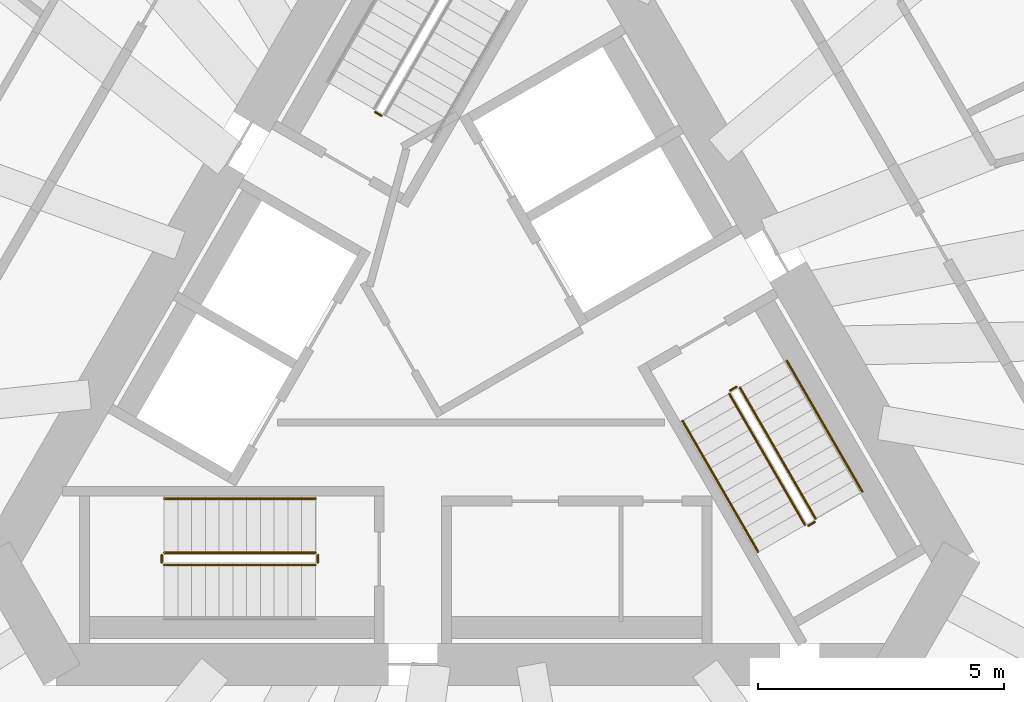
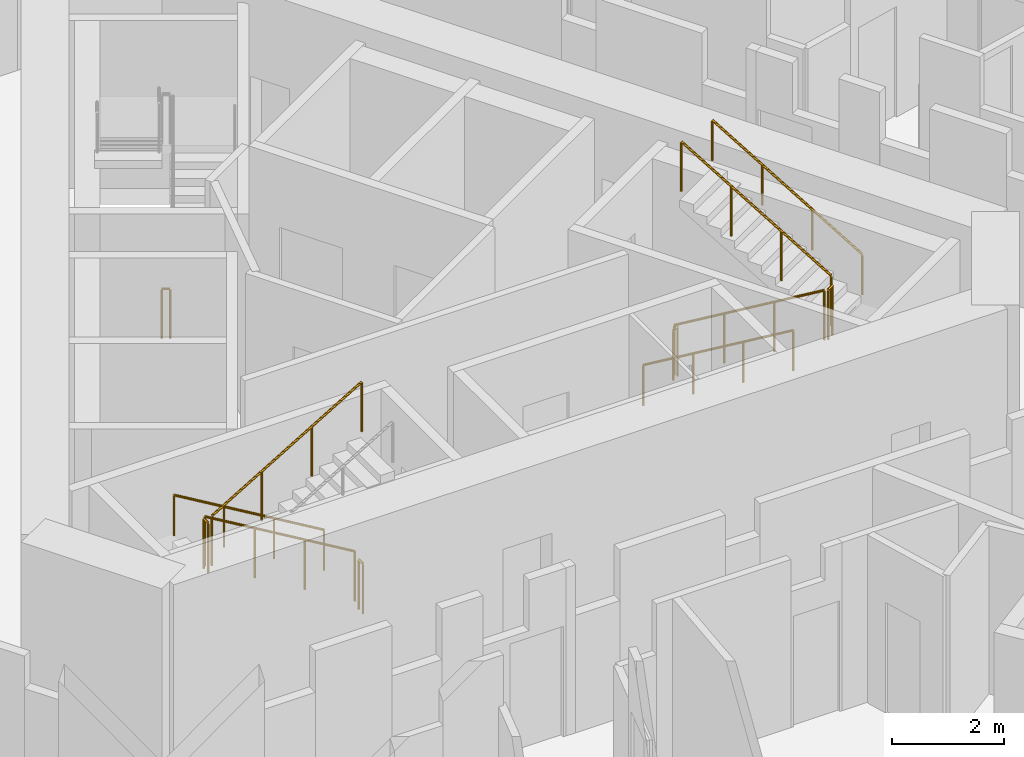
# One storey, part 11 of 14: 12 railings.
"""IFC4 building model written with IfcOpenShell, lengths in metres."""

from ifc_helpers import new_model, si_unit, direction, frame, origin, origin_2d, place, context, subcontext, project, spatial, circle, extrude, material, type_object, element, save


model = new_model("IFC4")

# Units and contexts
model_context = context("Model", 3, precision=1e-05, world=origin(), true_north=direction((0.0, 1.0)))
body_context = subcontext(model_context, "Body", "Model", "MODEL_VIEW")
ifc_project = project(units=[si_unit("LENGTHUNIT", "METRE"), si_unit("AREAUNIT", "SQUARE_METRE"), si_unit("VOLUMEUNIT", "CUBIC_METRE"), si_unit("PLANEANGLEUNIT", "RADIAN"), si_unit("MASSUNIT", "GRAM", prefix="KILO")], contexts=[model_context])

# Site, building, storey
site_placement = place(None, origin())
site = spatial("IfcSite", under=ifc_project, at=site_placement, CompositionType="ELEMENT")
building_placement = place(site_placement, origin())
building = spatial("IfcBuilding", under=site, at=building_placement, Name="Tramontana Tower", CompositionType="ELEMENT")
storey_placement = place(building_placement, frame((0.0, 0.0, 178.800048828125)))
storey = spatial("IfcBuildingStorey", under=building, at=storey_placement, Name="L41", CompositionType="ELEMENT", Elevation=178.800048828125)

# Railings
ifc_material_1 = material(Name="Painted steel", Category="steel")
railing_type_1 = type_object("IfcRailingType", Name="STAIR GUARD 1100", PredefinedType="GUARDRAIL", material=ifc_material_1)
railing_1_placement = place(storey_placement, frame((-1.935791015625, 4.84716796875, 0.0)))
element("IfcRailing", 1, at=railing_1_placement, inside=storey, type_object=railing_type_1, Name="L41 ST1 stair guard 4", PredefinedType="GUARDRAIL", context=body_context, shape_type="SweptSolid", body=[
    extrude(circle(Radius=0.02392578125, at=origin_2d()), frame((0.0, 0.0, 1.076171875), z_axis=(-0.865426285481, 0.501036270542, 0.0), x_axis=(-0.501036270542, -0.865426285481, 0.0)), (0.0, 0.0, 1.0), 0.150146484375),
    extrude(circle(Radius=0.02099609375, at=origin_2d()), origin(), (0.0, 0.0, 1.0), 1.052001953125),
    extrude(circle(Radius=0.02099609375, at=origin_2d()), frame((-0.1298828125, 0.0751953125, 0.0)), (0.0, 0.0, 1.0), 1.052001953125),
])
railing_2_placement = place(storey_placement, frame((-3.280029296875, -4.050048828125, 0.16650390625)))
element("IfcRailing", 2, at=railing_2_placement, inside=storey, type_object=railing_type_1, Name="L41 ST2 stair guard 1", PredefinedType="GUARDRAIL", context=body_context, shape_type="SweptSolid", body=[
    extrude(circle(Radius=0.02392578125, at=origin_2d()), frame((0.0, 0.0, 1.076171875), z_axis=(-0.85927862911, 0.0, 0.511507807912), x_axis=(0.0, -1.0, 0.0)), (0.0, 0.0, 1.0), 3.58447265625),
    extrude(circle(Radius=0.02099609375, at=origin_2d()), origin(), (0.0, 0.0, 1.0), 1.052001953125),
    extrude(circle(Radius=0.02099609375, at=origin_2d()), frame((-1.026611328125, 0.0, 0.611083984375)), (0.0, 0.0, 1.0), 1.052001953125),
    extrude(circle(Radius=0.02099609375, at=origin_2d()), frame((-2.053466796875, 0.0, 1.222412109375)), (0.0, 0.0, 1.0), 1.052001953125),
    extrude(circle(Radius=0.02099609375, at=origin_2d()), frame((-3.080078125, 0.0, 1.83349609375)), (0.0, 0.0, 1.0), 1.052001953125),
])
railing_3_placement = place(storey_placement, frame((-6.360107421875, -4.300048828125, 2.16650390625)))
element("IfcRailing", 3, at=railing_3_placement, inside=storey, type_object=railing_type_1, Name="L41 ST2 stair guard 2", PredefinedType="GUARDRAIL", context=body_context, shape_type="SweptSolid", body=[
    extrude(circle(Radius=0.02392578125, at=origin_2d()), frame((0.0, 0.0, 1.076171875), z_axis=(0.85927862911, 0.0, 0.511507807912), x_axis=(0.0, 1.0, 0.0)), (0.0, 0.0, 1.0), 3.58447265625),
    extrude(circle(Radius=0.02099609375, at=origin_2d()), origin(), (0.0, 0.0, 1.0), 1.052001953125),
    extrude(circle(Radius=0.02099609375, at=origin_2d()), frame((1.026611328125, 0.0, 0.611083984375)), (0.0, 0.0, 1.0), 1.052001953125),
    extrude(circle(Radius=0.02099609375, at=origin_2d()), frame((2.053466796875, 0.0, 1.222412109375)), (0.0, 0.0, 1.0), 1.052001953125),
    extrude(circle(Radius=0.02099609375, at=origin_2d()), frame((3.080078125, 0.0, 1.83349609375)), (0.0, 0.0, 1.0), 1.052001953125),
])
for number, where, name in (
    (4, (-6.409912109375, -4.10009765625, 2.0), "L41 ST2 stair guard 3"),
    (5, (-3.22998046875, -4.10009765625, 0.0), "L41 ST2 stair guard 4"),
):
    element("IfcRailing", number, at=place(storey_placement, frame(where)), inside=storey, type_object=railing_type_1, Name=name, PredefinedType="GUARDRAIL", context=body_context, shape_type="SweptSolid", body=[
        extrude(circle(Radius=0.02392578125, at=origin_2d()), frame((0.0, 0.0, 1.076171875), z_axis=(0.0, -1.0, 0.0), x_axis=(1.0, 0.0, 0.0)), (0.0, 0.0, 1.0), 0.14990234375),
        extrude(circle(Radius=0.02099609375, at=origin_2d()), origin(), (0.0, 0.0, 1.0), 1.052001953125),
        extrude(circle(Radius=0.02099609375, at=origin_2d()), frame((0.0, -0.14990234375, 0.0)), (0.0, 0.0, 1.0), 1.052001953125),
    ])
railing_4_placement = place(storey_placement, frame((5.1474609375, -0.815673828125, 0.16650390625)))
element("IfcRailing", 6, at=railing_4_placement, inside=storey, type_object=railing_type_1, Name="L41 ST3 stair guard 1", PredefinedType="GUARDRAIL", context=body_context, shape_type="SweptSolid", body=[
    extrude(circle(Radius=0.02392578125, at=origin_2d()), frame((0.0, 0.0, 1.076171875), z_axis=(0.429656224001, -0.744133520484, 0.511527939481), x_axis=(0.866010015463, 0.500026652407, 0.0)), (0.0, 0.0, 1.0), 3.58447265625),
    extrude(circle(Radius=0.02099609375, at=origin_2d()), origin(), (0.0, 0.0, 1.0), 1.052001953125),
    extrude(circle(Radius=0.02099609375, at=origin_2d()), frame((0.513427734375, -0.88916015625, 0.611083984375)), (0.0, 0.0, 1.0), 1.052001953125),
    extrude(circle(Radius=0.02099609375, at=origin_2d()), frame((1.026611328125, -1.778076171875, 1.222412109375)), (0.0, 0.0, 1.0), 1.052001953125),
    extrude(circle(Radius=0.02099609375, at=origin_2d()), frame((1.5400390625, -2.667236328125, 1.83349609375)), (0.0, 0.0, 1.0), 1.052001953125),
])
railing_5_placement = place(storey_placement, frame((6.90380859375, -3.35791015625, 2.16650390625)))
element("IfcRailing", 7, at=railing_5_placement, inside=storey, type_object=railing_type_1, Name="L41 ST3 stair guard 2", PredefinedType="GUARDRAIL", context=body_context, shape_type="SweptSolid", body=[
    extrude(circle(Radius=0.02392578125, at=origin_2d()), frame((0.0, 0.0, 1.076171875), z_axis=(-0.429600682602, 0.744155296881, 0.511542908886), x_axis=(-0.866044340336, -0.499967199496, 0.0)), (0.0, 0.0, 1.0), 3.584228515625),
    extrude(circle(Radius=0.02099609375, at=origin_2d()), origin(), (0.0, 0.0, 1.0), 1.052001953125),
    extrude(circle(Radius=0.02099609375, at=origin_2d()), frame((-0.51318359375, 0.88916015625, 0.611083984375)), (0.0, 0.0, 1.0), 1.052001953125),
    extrude(circle(Radius=0.02099609375, at=origin_2d()), frame((-1.026611328125, 1.778076171875, 1.222412109375)), (0.0, 0.0, 1.0), 1.052001953125),
    extrude(circle(Radius=0.02099609375, at=origin_2d()), frame((-1.539794921875, 2.667236328125, 1.83349609375)), (0.0, 0.0, 1.0), 1.052001953125),
])
for number, where, name in (
    (8, (6.755615234375, -3.501220703125, 2.0), "L41 ST3 stair guard 3"),
    (9, (5.165771484375, -0.747314453125, 0.0), "L41 ST3 stair guard 4"),
):
    element("IfcRailing", number, at=place(storey_placement, frame(where)), inside=storey, type_object=railing_type_1, Name=name, PredefinedType="GUARDRAIL", context=body_context, shape_type="SweptSolid", body=[
        extrude(circle(Radius=0.02392578125, at=origin_2d()), frame((0.0, 0.0, 1.076171875), z_axis=(0.866131372301, 0.499816412211, 0.0), x_axis=(-0.499816412211, 0.866131372301, 0.0)), (0.0, 0.0, 1.0), 0.14990234375),
        extrude(circle(Radius=0.02099609375, at=origin_2d()), origin(), (0.0, 0.0, 1.0), 1.052001953125),
        extrude(circle(Radius=0.02099609375, at=origin_2d()), frame((0.1298828125, 0.074951171875, 0.0)), (0.0, 0.0, 1.0), 1.052001953125),
    ])
ifc_material_2 = material(Name="Painted steel", Category="steel")
railing_type_2 = type_object("IfcRailingType", Name="STAIR HANDRAIL 900", PredefinedType="HANDRAIL", material=ifc_material_2)
railing_6_placement = place(storey_placement, frame((-3.280029296875, -2.949951171875, 0.16650390625)))
element("IfcRailing", 10, at=railing_6_placement, inside=storey, type_object=railing_type_2, Name="L41 ST2 stair handrail 1", PredefinedType="HANDRAIL", context=body_context, shape_type="SweptSolid", body=[
    extrude(circle(Radius=0.02392578125, at=origin_2d()), frame((0.0, 0.0, 0.8759765625), z_axis=(-0.85927862911, 0.0, 0.511507807912), x_axis=(0.0, -1.0, 0.0)), (0.0, 0.0, 1.0), 3.58447265625),
    extrude(circle(Radius=0.02099609375, at=origin_2d()), origin(), (0.0, 0.0, 1.0), 0.851806640625),
    extrude(circle(Radius=0.02099609375, at=origin_2d()), frame((-1.026611328125, 0.0, 0.611083984375)), (0.0, 0.0, 1.0), 0.851806640625),
    extrude(circle(Radius=0.02099609375, at=origin_2d()), frame((-2.053466796875, 0.0, 1.222412109375)), (0.0, 0.0, 1.0), 0.851806640625),
    extrude(circle(Radius=0.02099609375, at=origin_2d()), frame((-3.080078125, 0.0, 1.83349609375)), (0.0, 0.0, 1.0), 0.851806640625),
])
railing_7_placement = place(storey_placement, frame((4.19482421875, -1.365478515625, 0.16650390625)))
element("IfcRailing", 11, at=railing_7_placement, inside=storey, type_object=railing_type_2, Name="L41 ST3 stair handrail 1", PredefinedType="HANDRAIL", context=body_context, shape_type="SweptSolid", body=[
    extrude(circle(Radius=0.02392578125, at=origin_2d()), frame((0.0, 0.0, 0.8759765625), z_axis=(0.429634447492, -0.7441639146, 0.511502013422), x_axis=(0.866029832698, 0.499992328818, 0.0)), (0.0, 0.0, 1.0), 3.58447265625),
    extrude(circle(Radius=0.02099609375, at=origin_2d()), origin(), (0.0, 0.0, 1.0), 0.851806640625),
    extrude(circle(Radius=0.02099609375, at=origin_2d()), frame((0.513427734375, -0.88916015625, 0.611083984375)), (0.0, 0.0, 1.0), 0.851806640625),
    extrude(circle(Radius=0.02099609375, at=origin_2d()), frame((1.026611328125, -1.7783203125, 1.222412109375)), (0.0, 0.0, 1.0), 0.851806640625),
    extrude(circle(Radius=0.02099609375, at=origin_2d()), frame((1.5400390625, -2.66748046875, 1.83349609375)), (0.0, 0.0, 1.0), 0.851806640625),
])
railing_8_placement = place(storey_placement, frame((7.8564453125, -2.807861328125, 2.16650390625)))
element("IfcRailing", 12, at=railing_8_placement, inside=storey, type_object=railing_type_2, Name="L41 ST3 stair handrail 2", PredefinedType="HANDRAIL", context=body_context, shape_type="SweptSolid", body=[
    extrude(circle(Radius=0.02392578125, at=origin_2d()), frame((0.0, 0.0, 0.8759765625), z_axis=(-0.429600682602, 0.744155296881, 0.511542908886), x_axis=(-0.866044340336, -0.499967199496, 0.0)), (0.0, 0.0, 1.0), 3.584228515625),
    extrude(circle(Radius=0.02099609375, at=origin_2d()), origin(), (0.0, 0.0, 1.0), 0.851806640625),
    extrude(circle(Radius=0.02099609375, at=origin_2d()), frame((-0.51318359375, 0.88916015625, 0.611083984375)), (0.0, 0.0, 1.0), 0.851806640625),
    extrude(circle(Radius=0.02099609375, at=origin_2d()), frame((-1.026611328125, 1.778076171875, 1.222412109375)), (0.0, 0.0, 1.0), 0.851806640625),
    extrude(circle(Radius=0.02099609375, at=origin_2d()), frame((-1.539794921875, 2.667236328125, 1.83349609375)), (0.0, 0.0, 1.0), 0.851806640625),
])

save(model, "model.ifc")
